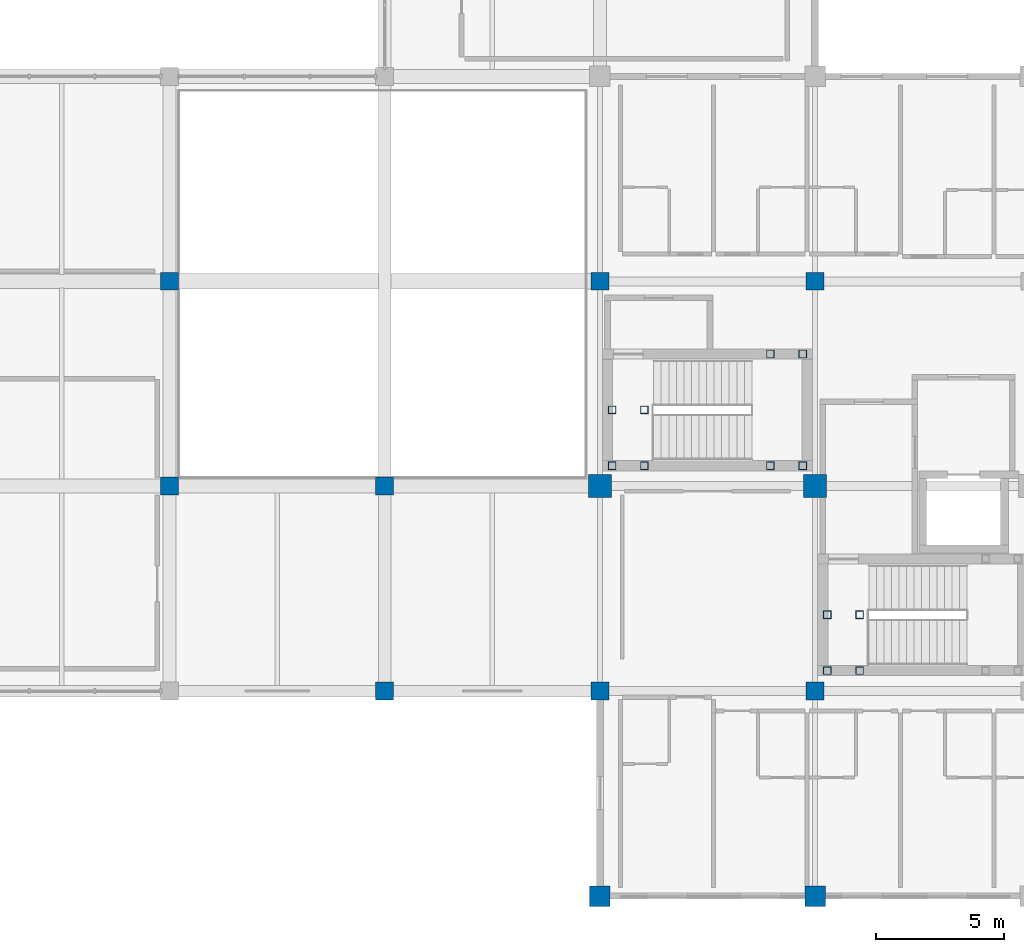
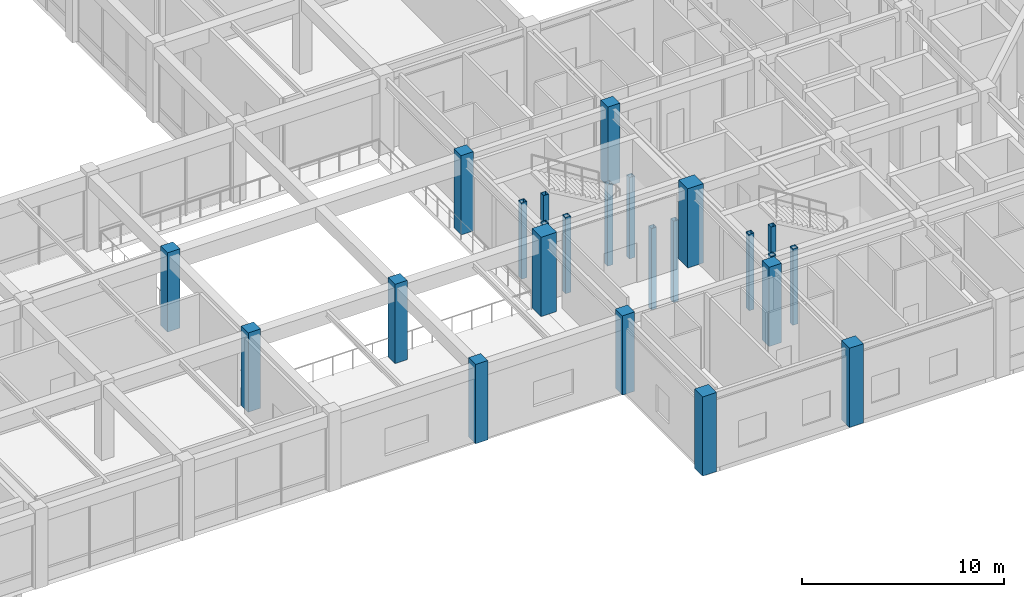
# One storey, part 3 of 76: 24 columns.
"""IFC4 building model written with IfcOpenShell, lengths in metres."""

from ifc_helpers import new_model, si_unit, direction, frame, origin, origin_2d, place, context, subcontext, project, spatial, rectangle, hollow_rectangle, extrude, material, material_profile, profile_set, type_object, element, save


model = new_model("IFC4")

# Units and contexts
model_context = context("Model", 3, precision=1e-05, world=origin(), true_north=direction((0.0, 1.0)))
body_context = subcontext(model_context, "Body", "Model", "MODEL_VIEW")
ifc_project = project(units=[si_unit("LENGTHUNIT", "METRE"), si_unit("AREAUNIT", "SQUARE_METRE"), si_unit("VOLUMEUNIT", "CUBIC_METRE"), si_unit("PLANEANGLEUNIT", "RADIAN"), si_unit("MASSUNIT", "GRAM", prefix="KILO")], contexts=[model_context])

# Site, building, storey
site_placement = place(None, origin())
site = spatial("IfcSite", under=ifc_project, at=site_placement, CompositionType="ELEMENT")
building_placement = place(site_placement, origin())
building = spatial("IfcBuilding", under=site, at=building_placement, Name="Naruveol Harbour Congress Hotel", CompositionType="ELEMENT")
storey_placement = place(building_placement, frame((0.0, 0.0, 11.39990234375)))
storey = spatial("IfcBuildingStorey", under=building, at=storey_placement, Name="L02", CompositionType="ELEMENT", Elevation=11.39990234375)

# Columns
ifc_material_1 = material(Name="Concrete C40/50", Category="concrete")
ifc_material_profile_1 = material_profile(ifc_material_1, rectangle(XDim=0.699951171875, YDim=0.699951171875, at=origin_2d()), Name="RC-700x700")
ifc_profile_set_1 = profile_set([ifc_material_profile_1], Name="Concrete C40/50")
column_type_1 = type_object("IfcColumnType", Name="RC HOTEL COLUMN 700X700", PredefinedType="COLUMN", material=ifc_profile_set_1)
for number, where, z_axis, x_axis, name in (
    (1, (100.800048828125, 16.0, 0.0), (0.0, 0.0, 1.0), (1.0, 0.0, 0.0), "Column C-700 L02 (100.8,16.0)"),
    (2, (100.800048828125, 24.0, 0.0), (0.0, 0.0, 1.0), (1.0, 0.0, 0.0), "Column C-700 L02 (100.8,24.0)"),
    (3, (109.199951171875, 8.0, 0.0), (0.0, 0.0, 1.0), (1.0, 0.0, 0.0), "Column C-700 L02 (109.2,8.0)"),
    (4, (109.199951171875, 16.0, 0.0), (0.0, 0.0, 1.0), (1.0, 0.0, 0.0), "Column C-700 L02 (109.2,16.0)"),
    (5, (117.60009765625, 8.0, 0.0), (0.0, 0.0, 1.0), (1.0, 0.0, 0.0), "Planted hotel column C-700 L02 S0/J1"),
    (6, (117.60009765625, 24.0, 0.0), (0.0, 0.0, 1.0), (1.0, 0.0, 0.0), "Planted hotel column C-700 L02 S0/J3"),
    (7, (126.0, 8.0, 0.0), (0.0, 0.0, 1.0), (1.0, 0.0, 0.0), "Planted hotel column C-700 L02 S1/J1"),
    (8, (126.0, 24.0, 0.0), (0.0, 0.0, 1.0), (1.0, 0.0, 0.0), "Planted hotel column C-700 L02 S1/J3"),
):
    element("IfcColumn", number, at=place(storey_placement, frame(where, z_axis=z_axis, x_axis=x_axis)), inside=storey, type_object=column_type_1, Name=name, PredefinedType="COLUMN", context=body_context, shape_type="SweptSolid", body=[
        extrude(rectangle(XDim=0.699951171875, YDim=0.699951171875, at=origin_2d()), origin(), (0.0, 0.0, 1.0), 4.800048828125),
    ])
ifc_material_2 = material(Name="Concrete C50/60", Category="concrete")
ifc_material_profile_2 = material_profile(ifc_material_2, rectangle(XDim=0.800048828125, YDim=0.800048828125, at=origin_2d()), Name="RC-800x800")
ifc_profile_set_2 = profile_set([ifc_material_profile_2], Name="Concrete C50/60")
column_type_2 = type_object("IfcColumnType", Name="RC PODIUM COLUMN 800X800", PredefinedType="COLUMN", material=ifc_profile_set_2)
for number, where, z_axis, x_axis, name in (
    (9, (117.60009765625, 0.0, 0.0), (0.0, 0.0, 1.0), (1.0, 0.0, 0.0), "Column C-800 L02 (117.6,0.0)"),
    (10, (126.0, 0.0, 0.0), (0.0, 0.0, 1.0), (1.0, 0.0, 0.0), "Column C-800 L02 (126.0,0.0)"),
):
    element("IfcColumn", number, at=place(storey_placement, frame(where, z_axis=z_axis, x_axis=x_axis)), inside=storey, type_object=column_type_2, Name=name, PredefinedType="COLUMN", context=body_context, shape_type="SweptSolid", body=[
        extrude(rectangle(XDim=0.800048828125, YDim=0.800048828125, at=origin_2d()), origin(), (0.0, 0.0, 1.0), 4.800048828125),
    ])
ifc_material_3 = material(Name="Concrete C50/60", Category="concrete")
ifc_material_profile_3 = material_profile(ifc_material_3, rectangle(XDim=0.89990234375, YDim=0.89990234375, at=origin_2d()), Name="RC-900x900")
ifc_profile_set_3 = profile_set([ifc_material_profile_3], Name="Concrete C50/60")
column_type_3 = type_object("IfcColumnType", Name="RC PRIMARY COLUMN 900X900", PredefinedType="COLUMN", material=ifc_profile_set_3)
for number, where, z_axis, x_axis, name in (
    (11, (117.60009765625, 16.0, 0.0), (0.0, 0.0, 1.0), (1.0, 0.0, 0.0), "Column C-900 L02 (117.6,16.0)"),
    (12, (126.0, 16.0, 0.0), (0.0, 0.0, 1.0), (1.0, 0.0, 0.0), "Column C-900 L02 (126.0,16.0)"),
):
    element("IfcColumn", number, at=place(storey_placement, frame(where, z_axis=z_axis, x_axis=x_axis)), inside=storey, type_object=column_type_3, Name=name, PredefinedType="COLUMN", context=body_context, shape_type="SweptSolid", body=[
        extrude(rectangle(XDim=0.89990234375, YDim=0.89990234375, at=origin_2d()), origin(), (0.0, 0.0, 1.0), 4.800048828125),
    ])
ifc_material_4 = material(Name="Steel SN490", Category="steel")
ifc_material_profile_4 = material_profile(ifc_material_4, hollow_rectangle(XDim=0.300048828125, YDim=0.300048828125, WallThickness=0.011962890625, at=origin_2d()), Name="SHS-300x300x12")
ifc_profile_set_4 = profile_set([ifc_material_profile_4], Name="Steel SN490")
column_type_4 = type_object("IfcColumnType", Name="STEEL COLONNADE POST SHS300", PredefinedType="COLUMN", material=ifc_profile_set_4)
for number, where, z_axis, x_axis, name in (
    (13, (126.47998046875, 8.800048828125, 0.0), (0.0, 0.0, 1.0), (1.0, 0.0, 0.0), "Stair landing support post ST1W #4"),
    (14, (126.47998046875, 10.97998046875, 0.0), (0.0, 0.0, 1.0), (1.0, 0.0, 0.0), "Stair landing support post ST1W #16"),
    (15, (127.739990234375, 8.800048828125, 0.0), (0.0, 0.0, 1.0), (1.0, 0.0, 0.0), "Stair landing support post ST1W #28"),
    (16, (127.739990234375, 10.97998046875, 0.0), (0.0, 0.0, 1.0), (1.0, 0.0, 0.0), "Stair landing support post ST1W #40"),
    (17, (118.080078125, 16.800048828125, 0.0), (0.0, 0.0, 1.0), (1.0, 0.0, 0.0), "Stair landing support post ST3W #196"),
    (18, (118.080078125, 18.97998046875, 0.0), (0.0, 0.0, 1.0), (1.0, 0.0, 0.0), "Stair landing support post ST3W #206"),
    (19, (119.340087890625, 16.800048828125, 0.0), (0.0, 0.0, 1.0), (1.0, 0.0, 0.0), "Stair landing support post ST3W #216"),
    (20, (119.340087890625, 18.97998046875, 0.0), (0.0, 0.0, 1.0), (1.0, 0.0, 0.0), "Stair landing support post ST3W #226"),
):
    element("IfcColumn", number, at=place(storey_placement, frame(where, z_axis=z_axis, x_axis=x_axis)), inside=storey, type_object=column_type_4, Name=name, PredefinedType="COLUMN", context=body_context, shape_type="SweptSolid", body=[
        extrude(hollow_rectangle(XDim=0.300048828125, YDim=0.300048828125, WallThickness=0.011962890625, at=origin_2d()), origin(), (0.0, 0.0, 1.0), 4.6201171875),
    ])
for number, where, z_axis, x_axis, name in (
    (21, (124.260009765625, 16.800048828125, -2.699951171875), (0.0, 0.0, 1.0), (1.0, 0.0, 0.0), "Stair landing support post ST3E #236"),
    (22, (124.260009765625, 21.159912109375, -2.699951171875), (0.0, 0.0, 1.0), (1.0, 0.0, 0.0), "Stair landing support post ST3E #246"),
    (23, (125.52001953125, 16.800048828125, -2.699951171875), (0.0, 0.0, 1.0), (1.0, 0.0, 0.0), "Stair landing support post ST3E #256"),
    (24, (125.52001953125, 21.159912109375, -2.699951171875), (0.0, 0.0, 1.0), (1.0, 0.0, 0.0), "Stair landing support post ST3E #266"),
):
    element("IfcColumn", number, at=place(storey_placement, frame(where, z_axis=z_axis, x_axis=x_axis)), inside=storey, type_object=column_type_4, Name=name, PredefinedType="COLUMN", context=body_context, shape_type="SweptSolid", body=[
        extrude(hollow_rectangle(XDim=0.300048828125, YDim=0.300048828125, WallThickness=0.011962890625, at=origin_2d()), origin(), (0.0, 0.0, 1.0), 4.920166015625),
    ])

save(model, "model.ifc")
